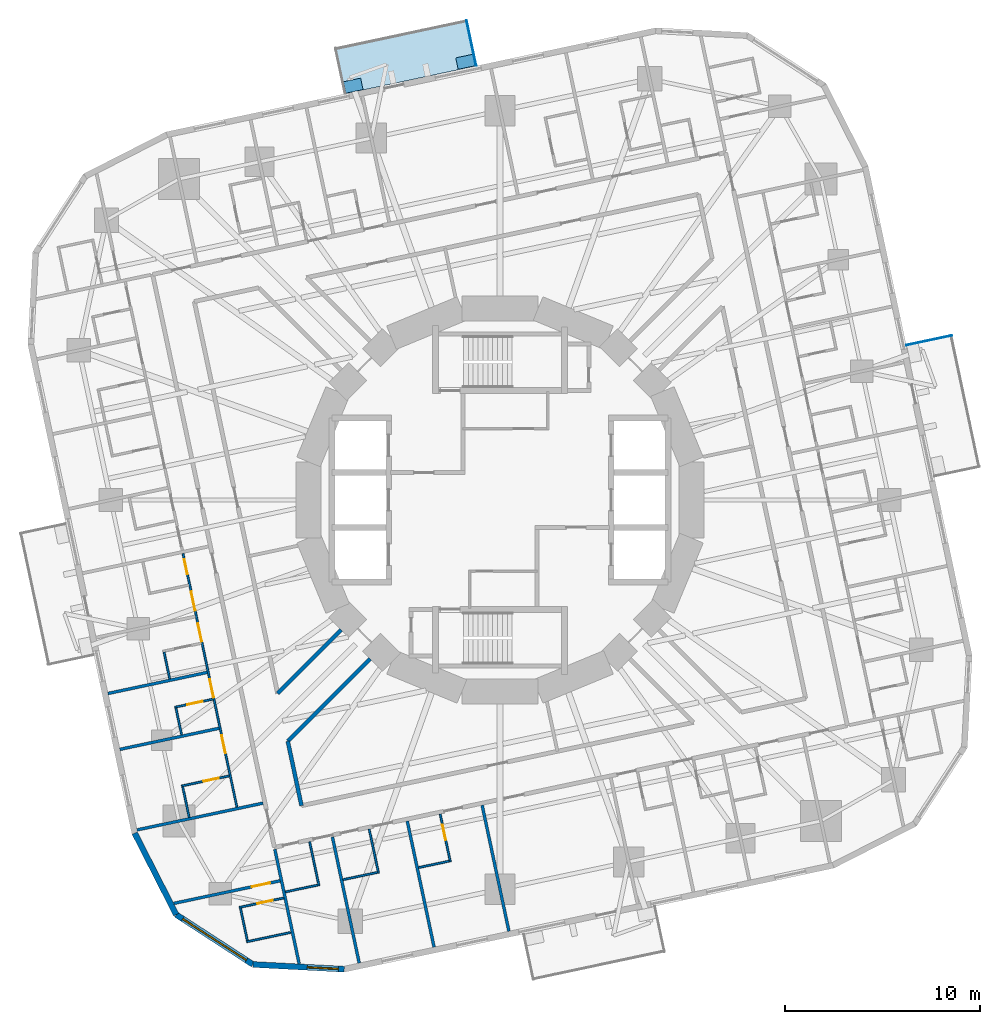
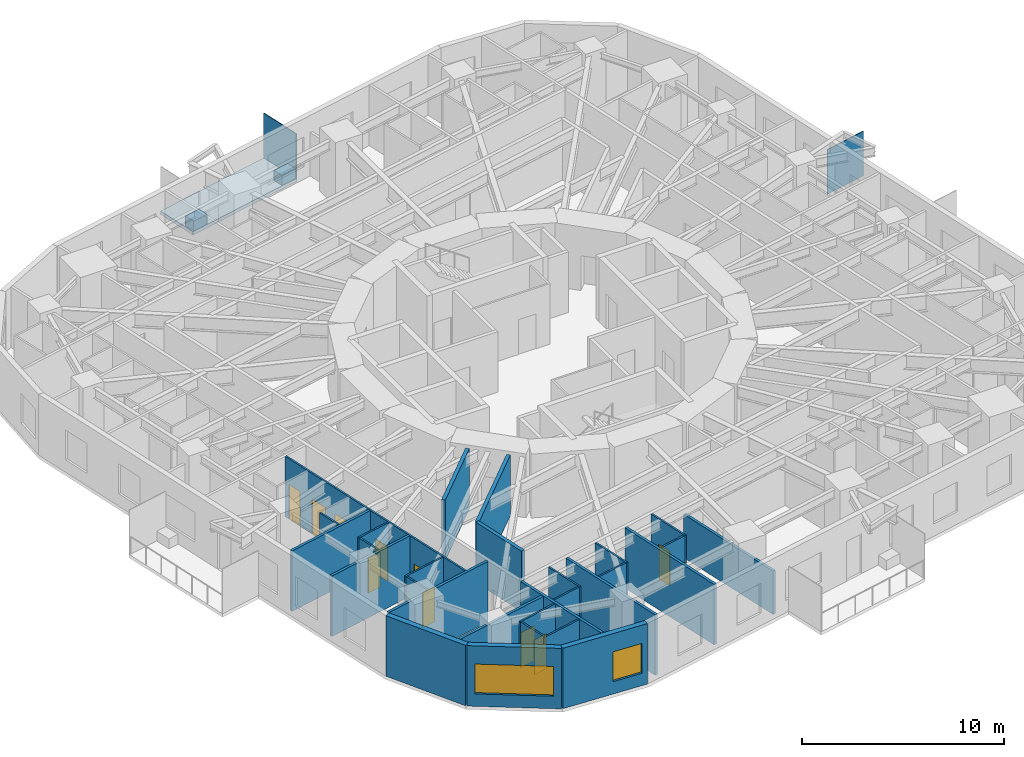
# One storey, part 4 of 14: 29 walls, 10 doors, 4 plates, 2 windows, 1 slab, 12 openings.
"""IFC4 building model written with IfcOpenShell, lengths in metres."""

from ifc_helpers import new_model, si_unit, direction, frame, frame_2d, origin, origin_2d, place, context, subcontext, project, spatial, polyline, rectangle, outline, extrude, material, layer, layer_set, type_object, element, fill, save


model = new_model("IFC4")

# Units and contexts
model_context = context("Model", 3, precision=1e-05, world=origin(), true_north=direction((0.0, 1.0)))
body_context = subcontext(model_context, "Body", "Model", "MODEL_VIEW")
ifc_project = project(units=[si_unit("LENGTHUNIT", "METRE"), si_unit("AREAUNIT", "SQUARE_METRE"), si_unit("VOLUMEUNIT", "CUBIC_METRE"), si_unit("PLANEANGLEUNIT", "RADIAN"), si_unit("MASSUNIT", "GRAM", prefix="KILO")], contexts=[model_context])

# Site, building, storey
site_placement = place(None, origin())
site = spatial("IfcSite", under=ifc_project, at=site_placement, CompositionType="ELEMENT")
building_placement = place(site_placement, origin())
building = spatial("IfcBuilding", under=site, at=building_placement, Name="Nakasero Lantern House", CompositionType="ELEMENT")
storey_placement = place(building_placement, frame((0.0, 0.0, 128.10009765625)))
storey = spatial("IfcBuildingStorey", under=building, at=storey_placement, Name="L31", CompositionType="ELEMENT", Elevation=128.10009765625)

# Plates
ifc_material_1 = material(Name="Aluminium 6063-T6", Category="aluminium")
ifc_layer_1 = layer(ifc_material_1, 0.60009765625)
ifc_layer_set_1 = layer_set([ifc_layer_1], Name="Balcony planter 600x900")
plate_type_1 = type_object("IfcPlateType", Name="Balcony planter 600x900", PredefinedType="USERDEFINED", material=ifc_layer_set_1)
for number, where, z_axis, x_axis, name in (
    (1, (-1.764892578125, 22.443603515625, -0.000244140625), (0.0, 0.0, 1.0), (-0.207911690818, 0.978147600734, 0.0), "Balcony PLANTER L31 BAL1A"),
    (2, (-7.516357421875, 21.220947265625, -0.000244140625), (0.0, 0.0, 1.0), (-0.207911690818, 0.978147600734, 0.0), "Balcony PLANTER L31 BAL1B"),
):
    element("IfcPlate", number, at=place(storey_placement, frame(where, z_axis=z_axis, x_axis=x_axis)), inside=storey, type_object=plate_type_1, Name=name, ObjectType="PLANTER", PredefinedType="USERDEFINED", context=body_context, shape_type="SweptSolid", body=[
        extrude(rectangle(XDim=0.60009765625, YDim=0.89990234375, at=origin_2d()), origin(), (0.0, 0.0, 1.0), 0.60009765625),
    ])
ifc_material_2 = material(Name="Aluminium 6063-T6", Category="aluminium")
ifc_layer_2 = layer(ifc_material_2, 0.0400390625)
ifc_layer_set_2 = layer_set([ifc_layer_2], Name="Balcony screen 2400x2700")
plate_type_2 = type_object("IfcPlateType", Name="Balcony screen 2400x2700", PredefinedType="SHEET", material=ifc_layer_set_2)
for number, where, z_axis, x_axis, name in (
    (3, (21.97998046875, 8.1787109375, 0.0), (0.0, 0.0, 1.0), (0.978147600734, 0.207911690818, 0.0), "Balcony SCREEN L31 BAL0B"),
    (4, (-1.468505859375, 23.40625, 0.0), (0.0, 0.0, 1.0), (-0.207911690818, 0.978147600734, 0.0), "Balcony SCREEN L31 BAL1A"),
):
    element("IfcPlate", number, at=place(storey_placement, frame(where, z_axis=z_axis, x_axis=x_axis)), inside=storey, type_object=plate_type_2, Name=name, PredefinedType="SHEET", context=body_context, shape_type="SweptSolid", body=[
        extrude(rectangle(XDim=2.39990234375, YDim=0.0400390625, at=origin_2d()), origin(), (0.0, 0.0, 1.0), 2.699951171875),
    ])

# Slab
ifc_material_3 = material(Name="Concrete C35/45", Category="concrete")
ifc_layer_3 = layer(ifc_material_3, 0.199951171875)
ifc_layer_set_3 = layer_set([ifc_layer_3], Name="Balcony slab 200")
slab_type = type_object("IfcSlabType", Name="Balcony slab 200", PredefinedType="USERDEFINED", material=ifc_layer_set_3)
slab_placement = place(storey_placement, frame((0.0, 0.0, -0.2001953125)))
element("IfcSlab", 5, at=slab_placement, inside=storey, type_object=slab_type, Name="Balcony L31 BAL1", ObjectType="BALCONY", PredefinedType="USERDEFINED", context=body_context, shape_type="SweptSolid", body=[
    extrude(outline(polyline([(-1.199462890625, 22.236572265625), (-1.698486328125, 24.583984375), (-8.44775390625, 23.1494140625), (-7.94873046875, 20.802001953125), (-1.199462890625, 22.236572265625)])), origin(), (0.0, 0.0, 1.0), 0.2001953125),
])

# Wall, openings, doors
ifc_material_4 = material(Name="Blockwork", Category="masonry")
ifc_layer_4 = layer(ifc_material_4, 0.10009765625)
ifc_layer_set_4 = layer_set([ifc_layer_4], Name="Cluster hall wall 100")
wall_type_1 = type_object("IfcWallType", Name="Cluster hall wall 100", PredefinedType="PARTITIONING", material=ifc_layer_set_4)
wall_1_placement = place(storey_placement, frame((-16.236328125, -2.734375, 0.0), z_axis=(0.0, 0.0, 1.0), x_axis=(0.207922912411, -0.978145215443, 0.0)))
wall_1 = element("IfcWall", 6, at=wall_1_placement, inside=storey, type_object=wall_type_1, Name="Cluster hall wall L31 HW2-1", PredefinedType="PARTITIONING", context=body_context, shape_type="SweptSolid", body=[
    extrude(rectangle(XDim=13.28955078125, YDim=0.10009765625, at=frame_2d((6.644775390625, 0.0))), origin(), (0.0, 0.0, 1.0), 3.64990234375),
])
opening_1_placement = place(wall_1_placement, frame((1.99365234375, 0.0, 0.0)))
opening_1 = element("IfcOpeningElement", 7, at=opening_1_placement, cuts=wall_1, Name="Opening D03", PredefinedType="OPENING", context=body_context, shape_type="SweptSolid", body=[
    extrude(rectangle(XDim=1.0, YDim=2.10009765625, at=frame_2d((0.5, 1.050048828125))), frame((0.0, 0.070068359375, 0.0), z_axis=(0.0, -1.0, 0.0), x_axis=(1.0, 0.0, 0.0)), (0.0, 0.0, 1.0), 0.14013671875),
])
opening_2_placement = place(wall_1_placement, frame((0.300048828125, 0.0, 0.0)))
opening_2 = element("IfcOpeningElement", 8, at=opening_2_placement, cuts=wall_1, Name="Opening D02", PredefinedType="OPENING", context=body_context, shape_type="SweptSolid", body=[
    extrude(rectangle(XDim=0.800048828125, YDim=2.10009765625, at=frame_2d((0.39990234375, 1.050048828125))), frame((0.0, 0.070068359375, 0.0), z_axis=(0.0, -1.0, 0.0), x_axis=(1.0, 0.0, 0.0)), (0.0, 0.0, 1.0), 0.14013671875),
])
opening_3_placement = place(wall_1_placement, frame((3.668701171875, 0.0, 0.0)))
opening_3 = element("IfcOpeningElement", 9, at=opening_3_placement, cuts=wall_1, Name="Opening D01", PredefinedType="OPENING", context=body_context, shape_type="SweptSolid", body=[
    extrude(rectangle(XDim=0.949951171875, YDim=2.10009765625, at=frame_2d((0.47509765625, 1.050048828125))), frame((0.0, 0.070068359375, 0.0), z_axis=(0.0, -1.0, 0.0), x_axis=(1.0, 0.0, 0.0)), (0.0, 0.0, 1.0), 0.14013671875),
])
opening_4_placement = place(wall_1_placement, frame((6.594970703125, 0.0, 0.0)))
opening_4 = element("IfcOpeningElement", 10, at=opening_4_placement, cuts=wall_1, Name="Opening D01", PredefinedType="OPENING", context=body_context, shape_type="SweptSolid", body=[
    extrude(rectangle(XDim=0.949951171875, YDim=2.10009765625, at=frame_2d((0.47509765625, 1.050048828125))), frame((0.0, 0.070068359375, 0.0), z_axis=(0.0, -1.0, 0.0), x_axis=(1.0, 0.0, 0.0)), (0.0, 0.0, 1.0), 0.14013671875),
])
opening_5_placement = place(wall_1_placement, frame((9.521484375, 0.0, 0.0)))
opening_5 = element("IfcOpeningElement", 11, at=opening_5_placement, cuts=wall_1, Name="Opening D01", PredefinedType="OPENING", context=body_context, shape_type="SweptSolid", body=[
    extrude(rectangle(XDim=0.949951171875, YDim=2.10009765625, at=frame_2d((0.47509765625, 1.050048828125))), frame((0.0, 0.070068359375, 0.0), z_axis=(0.0, -1.0, 0.0), x_axis=(1.0, 0.0, 0.0)), (0.0, 0.0, 1.0), 0.14013671875),
])
ifc_material_5 = material(Name="Timber C24", Category="wood")
door_type_1 = type_object("IfcDoorType", Name="Bedroom door FD30S 950", OperationType="SINGLE_SWING_LEFT", PredefinedType="DOOR", material=ifc_material_5)
door_1_placement = place(opening_3_placement, origin())
door_1 = element("IfcDoor", 12, at=door_1_placement, inside=storey, type_object=door_type_1, Name="Door L31 D2-05", OperationType="SINGLE_SWING_LEFT", OverallHeight=2.10009765625, OverallWidth=0.949951171875, PredefinedType="DOOR", context=body_context, shape_type="SweptSolid", body=[
    extrude(rectangle(XDim=0.949951171875, YDim=2.10009765625, at=frame_2d((0.47509765625, 1.050048828125))), frame((0.0, 0.02490234375, 0.0), z_axis=(0.0, -1.0, 0.0), x_axis=(1.0, 0.0, 0.0)), (0.0, 0.0, 1.0), 0.050048828125),
])
fill(opening_3, door_1)
door_2_placement = place(opening_4_placement, origin())
door_2 = element("IfcDoor", 13, at=door_2_placement, inside=storey, type_object=door_type_1, Name="Door L31 D2-06", OperationType="SINGLE_SWING_RIGHT", OverallHeight=2.10009765625, OverallWidth=0.949951171875, PredefinedType="DOOR", context=body_context, shape_type="SweptSolid", body=[
    extrude(rectangle(XDim=0.949951171875, YDim=2.10009765625, at=frame_2d((0.47509765625, 1.050048828125))), frame((0.0, 0.02490234375, 0.0), z_axis=(0.0, -1.0, 0.0), x_axis=(1.0, 0.0, 0.0)), (0.0, 0.0, 1.0), 0.050048828125),
])
fill(opening_4, door_2)
door_3_placement = place(opening_5_placement, origin())
door_3 = element("IfcDoor", 14, at=door_3_placement, inside=storey, type_object=door_type_1, Name="Door L31 D2-07", OperationType="SINGLE_SWING_RIGHT", OverallHeight=2.10009765625, OverallWidth=0.949951171875, PredefinedType="DOOR", context=body_context, shape_type="SweptSolid", body=[
    extrude(rectangle(XDim=0.949951171875, YDim=2.10009765625, at=frame_2d((0.47509765625, 1.050048828125))), frame((0.0, 0.02490234375, 0.0), z_axis=(0.0, -1.0, 0.0), x_axis=(1.0, 0.0, 0.0)), (0.0, 0.0, 1.0), 0.050048828125),
])
fill(opening_5, door_3)
ifc_material_6 = material(Name="Timber C24", Category="wood")
door_type_2 = type_object("IfcDoorType", Name="En-suite door 800", OperationType="SINGLE_SWING_RIGHT", PredefinedType="DOOR", material=ifc_material_6)
door_4_placement = place(opening_2_placement, origin())
door_4 = element("IfcDoor", 15, at=door_4_placement, inside=storey, type_object=door_type_2, Name="Door L31 DSH2-1", OperationType="SINGLE_SWING_LEFT", OverallHeight=2.10009765625, OverallWidth=0.800048828125, PredefinedType="DOOR", context=body_context, shape_type="SweptSolid", body=[
    extrude(rectangle(XDim=0.800048828125, YDim=2.10009765625, at=frame_2d((0.39990234375, 1.050048828125))), frame((0.0, 0.02490234375, 0.0), z_axis=(0.0, -1.0, 0.0), x_axis=(1.0, 0.0, 0.0)), (0.0, 0.0, 1.0), 0.050048828125),
])
fill(opening_2, door_4)
ifc_material_7 = material(Name="Timber C24", Category="wood")
door_type_3 = type_object("IfcDoorType", Name="Lounge door FD30S 1000", OperationType="SINGLE_SWING_LEFT", PredefinedType="DOOR", material=ifc_material_7)
door_5_placement = place(opening_1_placement, origin())
door_5 = element("IfcDoor", 16, at=door_5_placement, inside=storey, type_object=door_type_3, Name="Door L31 DH2-1", OperationType="SINGLE_SWING_LEFT", OverallHeight=2.10009765625, OverallWidth=1.0, PredefinedType="DOOR", context=body_context, shape_type="SweptSolid", body=[
    extrude(rectangle(XDim=1.0, YDim=2.10009765625, at=frame_2d((0.5, 1.050048828125))), frame((0.0, 0.02490234375, 0.0), z_axis=(0.0, -1.0, 0.0), x_axis=(1.0, 0.0, 0.0)), (0.0, 0.0, 1.0), 0.050048828125),
])
fill(opening_1, door_5)

# Walls
ifc_material_8 = material(Name="Blockwork", Category="masonry")
ifc_layer_5 = layer(ifc_material_8, 0.199951171875)
ifc_layer_set_5 = layer_set([ifc_layer_5], Name="Corridor wall 200")
wall_type_2 = type_object("IfcWallType", Name="Corridor wall 200", PredefinedType="PARTITIONING", material=ifc_layer_set_5)
wall_2_placement = place(storey_placement, frame((-10.868896484375, -12.35400390625, 0.0), z_axis=(0.0, 0.0, 1.0), x_axis=(0.207923627178, -0.978145063506, 0.0)))
element("IfcWall", 17, at=wall_2_placement, inside=storey, type_object=wall_type_2, Name="Corridor wall L31 IW2-1", PredefinedType="PARTITIONING", context=body_context, shape_type="SweptSolid", body=[
    extrude(rectangle(XDim=3.375732421875, YDim=0.199951171875, at=frame_2d((1.68798828125, 0.0))), origin(), (0.0, 0.0, 1.0), 3.64990234375),
])
wall_3_placement = place(storey_placement, frame((-6.65234375, -8.13720703125, 0.0), z_axis=(0.0, 0.0, 1.0), x_axis=(-0.707086310555, -0.707127251225, 0.0)))
element("IfcWall", 18, at=wall_3_placement, inside=storey, type_object=wall_type_2, Name="Corridor wall L31 PS10a", PredefinedType="PARTITIONING", context=body_context, shape_type="SweptSolid", body=[
    extrude(rectangle(XDim=5.96337890625, YDim=0.199951171875, at=frame_2d((2.981689453125, 0.0))), origin(), (0.0, 0.0, 1.0), 3.64990234375),
])
wall_4_placement = place(storey_placement, frame((-8.13720703125, -6.65234375, 0.0), z_axis=(0.0, 0.0, 1.0), x_axis=(-0.707106781187, -0.707106781187, 0.0)))
element("IfcWall", 19, at=wall_4_placement, inside=storey, type_object=wall_type_2, Name="Corridor wall L31 PS10b", PredefinedType="PARTITIONING", context=body_context, shape_type="SweptSolid", body=[
    extrude(rectangle(XDim=4.599609375, YDim=0.199951171875, at=frame_2d((2.2998046875, 0.0))), origin(), (0.0, 0.0, 1.0), 3.64990234375),
])
ifc_material_9 = material(Name="Blockwork", Category="masonry")
ifc_layer_6 = layer(ifc_material_9, 0.10009765625)
ifc_layer_set_6 = layer_set([ifc_layer_6], Name="En-suite wall 100")
wall_type_3 = type_object("IfcWallType", Name="En-suite wall 100", PredefinedType="PARTITIONING", material=ifc_layer_set_6)
wall_5_placement = place(storey_placement, frame((-17.2060546875, -7.79150390625, 0.0), z_axis=(0.0, 0.0, 1.0), x_axis=(0.207873355681, -0.978155748334, 0.0)))
element("IfcWall", 20, at=wall_5_placement, inside=storey, type_object=wall_type_3, Name="En-suite wall L31 EE2-05", PredefinedType="PARTITIONING", context=body_context, shape_type="SweptSolid", body=[
    extrude(rectangle(XDim=1.39990234375, YDim=0.10009765625, at=frame_2d((0.699951171875, 0.0))), origin(), (0.0, 0.0, 1.0), 3.64990234375),
])

# Wall, opening, door
wall_6_placement = place(storey_placement, frame((-14.70068359375, -10.19970703125, 0.0), z_axis=(0.0, 0.0, 1.0), x_axis=(-0.978152955943, -0.207886494942, 0.0)))
wall_6 = element("IfcWall", 21, at=wall_6_placement, inside=storey, type_object=wall_type_3, Name="En-suite wall L31 ES2-06", PredefinedType="PARTITIONING", context=body_context, shape_type="SweptSolid", body=[
    extrude(rectangle(XDim=2.0, YDim=0.10009765625, at=frame_2d((1.0, 0.0))), origin(), (0.0, 0.0, 1.0), 3.64990234375),
])
opening_6_placement = place(wall_6_placement, frame((0.550048828125, 0.0, 0.0)))
opening_6 = element("IfcOpeningElement", 22, at=opening_6_placement, cuts=wall_6, Name="Opening D02", PredefinedType="OPENING", context=body_context, shape_type="SweptSolid", body=[
    extrude(rectangle(XDim=0.800048828125, YDim=2.10009765625, at=frame_2d((0.39990234375, 1.050048828125))), frame((0.0, 0.070068359375, 0.0), z_axis=(0.0, -1.0, 0.0), x_axis=(1.0, 0.0, 0.0)), (0.0, 0.0, 1.0), 0.14013671875),
])
door_6_placement = place(opening_6_placement, origin())
door_6 = element("IfcDoor", 23, at=door_6_placement, inside=storey, type_object=door_type_2, Name="Door L31 DE2-06", OperationType="SINGLE_SWING_LEFT", OverallHeight=2.10009765625, OverallWidth=0.800048828125, PredefinedType="DOOR", context=body_context, shape_type="SweptSolid", body=[
    extrude(rectangle(XDim=0.800048828125, YDim=2.10009765625, at=frame_2d((0.39990234375, 1.050048828125))), frame((0.0, 0.02490234375, 0.0), z_axis=(0.0, -1.0, 0.0), x_axis=(1.0, 0.0, 0.0)), (0.0, 0.0, 1.0), 0.050048828125),
])
fill(opening_6, door_6)

# Wall
wall_7_placement = place(storey_placement, frame((-16.59765625, -10.654052734375, 0.0), z_axis=(0.0, 0.0, 1.0), x_axis=(0.207873355681, -0.978155748334, 0.0)))
element("IfcWall", 24, at=wall_7_placement, inside=storey, type_object=wall_type_3, Name="En-suite wall L31 EE2-06", PredefinedType="PARTITIONING", context=body_context, shape_type="SweptSolid", body=[
    extrude(rectangle(XDim=1.39990234375, YDim=0.10009765625, at=frame_2d((0.699951171875, 0.0))), origin(), (0.0, 0.0, 1.0), 3.64990234375),
])

# Wall, opening, door
wall_8_placement = place(storey_placement, frame((-13.865234375, -14.1298828125, 0.0), z_axis=(0.0, 0.0, 1.0), x_axis=(-0.978146935828, -0.207914818928, 0.0)))
wall_8 = element("IfcWall", 25, at=wall_8_placement, inside=storey, type_object=wall_type_3, Name="En-suite wall L31 ES2-07", PredefinedType="PARTITIONING", context=body_context, shape_type="SweptSolid", body=[
    extrude(rectangle(XDim=2.5, YDim=0.10009765625, at=frame_2d((1.25, 0.0))), origin(), (0.0, 0.0, 1.0), 3.64990234375),
])
opening_7_placement = place(wall_8_placement, frame((0.550048828125, 0.0, 0.0)))
opening_7 = element("IfcOpeningElement", 26, at=opening_7_placement, cuts=wall_8, Name="Opening D02", PredefinedType="OPENING", context=body_context, shape_type="SweptSolid", body=[
    extrude(rectangle(XDim=0.800048828125, YDim=2.10009765625, at=frame_2d((0.39990234375, 1.050048828125))), frame((0.0, 0.070068359375, 0.0), z_axis=(0.0, -1.0, 0.0), x_axis=(1.0, 0.0, 0.0)), (0.0, 0.0, 1.0), 0.14013671875),
])
door_7_placement = place(opening_7_placement, origin())
door_7 = element("IfcDoor", 27, at=door_7_placement, inside=storey, type_object=door_type_2, Name="Door L31 DE2-07", OperationType="SINGLE_SWING_LEFT", OverallHeight=2.10009765625, OverallWidth=0.800048828125, PredefinedType="DOOR", context=body_context, shape_type="SweptSolid", body=[
    extrude(rectangle(XDim=0.800048828125, YDim=2.10009765625, at=frame_2d((0.39990234375, 1.050048828125))), frame((0.0, 0.02490234375, 0.0), z_axis=(0.0, -1.0, 0.0), x_axis=(1.0, 0.0, 0.0)), (0.0, 0.0, 1.0), 0.050048828125),
])
fill(opening_7, door_7)

# Wall
wall_9_placement = place(storey_placement, frame((-16.251220703125, -14.688232421875, 0.0), z_axis=(0.0, 0.0, 1.0), x_axis=(0.207840504985, -0.978162729042, 0.0)))
element("IfcWall", 28, at=wall_9_placement, inside=storey, type_object=wall_type_3, Name="En-suite wall L31 EE2-07", PredefinedType="PARTITIONING", context=body_context, shape_type="SweptSolid", body=[
    extrude(rectangle(XDim=1.599853515625, YDim=0.10009765625, at=frame_2d((0.7998046875, 0.0))), origin(), (0.0, 0.0, 1.0), 3.64990234375),
])

# Wall, opening, door
wall_10_placement = place(storey_placement, frame((-11.069091796875, -20.382568359375, 0.0), z_axis=(0.0, 0.0, 1.0), x_axis=(-0.978136257952, -0.207965047255, 0.0)))
wall_10 = element("IfcWall", 29, at=wall_10_placement, inside=storey, type_object=wall_type_3, Name="En-suite wall L31 ES2-08", PredefinedType="PARTITIONING", context=body_context, shape_type="SweptSolid", body=[
    extrude(rectangle(XDim=2.3349609375, YDim=0.10009765625, at=frame_2d((1.16748046875, 0.0))), origin(), (0.0, 0.0, 1.0), 3.64990234375),
])
opening_8_placement = place(wall_10_placement, frame((0.5849609375, 0.0, 0.0)))
opening_8 = element("IfcOpeningElement", 30, at=opening_8_placement, cuts=wall_10, Name="Opening D02", PredefinedType="OPENING", context=body_context, shape_type="SweptSolid", body=[
    extrude(rectangle(XDim=0.800048828125, YDim=2.10009765625, at=frame_2d((0.39990234375, 1.050048828125))), frame((0.0, 0.070068359375, 0.0), z_axis=(0.0, -1.0, 0.0), x_axis=(1.0, 0.0, 0.0)), (0.0, 0.0, 1.0), 0.14013671875),
])
door_8_placement = place(opening_8_placement, origin())
door_8 = element("IfcDoor", 31, at=door_8_placement, inside=storey, type_object=door_type_2, Name="Door L31 DE2-08", OperationType="SINGLE_SWING_LEFT", OverallHeight=2.10009765625, OverallWidth=0.800048828125, PredefinedType="DOOR", context=body_context, shape_type="SweptSolid", body=[
    extrude(rectangle(XDim=0.800048828125, YDim=2.10009765625, at=frame_2d((0.39990234375, 1.050048828125))), frame((0.0, 0.02490234375, 0.0), z_axis=(0.0, -1.0, 0.0), x_axis=(1.0, 0.0, 0.0)), (0.0, 0.0, 1.0), 0.050048828125),
])
fill(opening_8, door_8)

# Walls
wall_11_placement = place(storey_placement, frame((-13.293701171875, -20.906494140625, 0.0), z_axis=(0.0, 0.0, 1.0), x_axis=(0.207812379357, -0.978168704767, 0.0)))
element("IfcWall", 32, at=wall_11_placement, inside=storey, type_object=wall_type_3, Name="En-suite wall L31 EE2-08", PredefinedType="PARTITIONING", context=body_context, shape_type="SweptSolid", body=[
    extrude(rectangle(XDim=1.699951171875, YDim=0.10009765625, at=frame_2d((0.85009765625, 0.0))), origin(), (0.0, 0.0, 1.0), 3.64990234375),
])
for number, where, z_axis, x_axis, name in (
    (33, (-10.72900390625, -22.150634765625, 0.0), (0.0, 0.0, 1.0), (-0.978162897375, -0.207839712757, 0.0), "En-suite wall L31 EV2-08"),
    (34, (-9.74755859375, -17.50927734375, 0.0), (0.0, 0.0, 1.0), (0.207839712757, -0.978162897375, 0.0), "En-suite wall L31 ES3-00"),
):
    element("IfcWall", number, at=place(storey_placement, frame(where, z_axis=z_axis, x_axis=x_axis)), inside=storey, type_object=wall_type_3, Name=name, PredefinedType="PARTITIONING", context=body_context, shape_type="SweptSolid", body=[
        extrude(rectangle(XDim=2.300048828125, YDim=0.10009765625, at=frame_2d((1.14990234375, 0.0))), origin(), (0.0, 0.0, 1.0), 3.64990234375),
    ])
wall_12_placement = place(storey_placement, frame((-10.99169921875, -20.073974609375, 0.0), z_axis=(0.0, 0.0, 1.0), x_axis=(0.97814571127, 0.207920579847, 0.0)))
element("IfcWall", 35, at=wall_12_placement, inside=storey, type_object=wall_type_3, Name="En-suite wall L31 EE3-00", PredefinedType="PARTITIONING", context=body_context, shape_type="SweptSolid", body=[
    extrude(rectangle(XDim=1.7001953125, YDim=0.10009765625, at=frame_2d((0.85009765625, 0.0))), origin(), (0.0, 0.0, 1.0), 3.64990234375),
])
wall_13_placement = place(storey_placement, frame((-6.69970703125, -16.861328125, 0.0), z_axis=(0.0, 0.0, 1.0), x_axis=(0.207941273027, -0.978141312374, 0.0)))
element("IfcWall", 36, at=wall_13_placement, inside=storey, type_object=wall_type_3, Name="En-suite wall L31 ES3-01", PredefinedType="PARTITIONING", context=body_context, shape_type="SweptSolid", body=[
    extrude(rectangle(XDim=2.300048828125, YDim=0.10009765625, at=frame_2d((1.14990234375, 0.0))), origin(), (0.0, 0.0, 1.0), 3.64990234375),
])
wall_14_placement = place(storey_placement, frame((-8.041259765625, -19.44677734375, 0.0), z_axis=(0.0, 0.0, 1.0), x_axis=(0.978140575842, 0.207944737591, 0.0)))
element("IfcWall", 37, at=wall_14_placement, inside=storey, type_object=wall_type_3, Name="En-suite wall L31 EE3-01", PredefinedType="PARTITIONING", context=body_context, shape_type="SweptSolid", body=[
    extrude(rectangle(XDim=1.7998046875, YDim=0.10009765625, at=frame_2d((0.89990234375, 0.0))), origin(), (0.0, 0.0, 1.0), 3.64990234375),
])

# Wall, opening, door
wall_15_placement = place(storey_placement, frame((-3.061279296875, -16.088134765625, 0.0), z_axis=(0.0, 0.0, 1.0), x_axis=(0.207914818928, -0.978146935828, 0.0)))
wall_15 = element("IfcWall", 38, at=wall_15_placement, inside=storey, type_object=wall_type_3, Name="En-suite wall L31 ES3-02", PredefinedType="PARTITIONING", context=body_context, shape_type="SweptSolid", body=[
    extrude(rectangle(XDim=2.5, YDim=0.10009765625, at=frame_2d((1.25, 0.0))), origin(), (0.0, 0.0, 1.0), 3.64990234375),
])
opening_9_placement = place(wall_15_placement, frame((0.550048828125, 0.0, 0.0)))
opening_9 = element("IfcOpeningElement", 39, at=opening_9_placement, cuts=wall_15, Name="Opening D02", PredefinedType="OPENING", context=body_context, shape_type="SweptSolid", body=[
    extrude(rectangle(XDim=0.800048828125, YDim=2.10009765625, at=frame_2d((0.39990234375, 1.050048828125))), frame((0.0, 0.070068359375, 0.0), z_axis=(0.0, -1.0, 0.0), x_axis=(1.0, 0.0, 0.0)), (0.0, 0.0, 1.0), 0.14013671875),
])
door_9_placement = place(opening_9_placement, origin())
door_9 = element("IfcDoor", 40, at=door_9_placement, inside=storey, type_object=door_type_2, Name="Door L31 DE3-02", OperationType="SINGLE_SWING_LEFT", OverallHeight=2.10009765625, OverallWidth=0.800048828125, PredefinedType="DOOR", context=body_context, shape_type="SweptSolid", body=[
    extrude(rectangle(XDim=0.800048828125, YDim=2.10009765625, at=frame_2d((0.39990234375, 1.050048828125))), frame((0.0, 0.02490234375, 0.0), z_axis=(0.0, -1.0, 0.0), x_axis=(1.0, 0.0, 0.0)), (0.0, 0.0, 1.0), 0.050048828125),
])
fill(opening_9, door_9)

# Walls
wall_16_placement = place(storey_placement, frame((-4.166015625, -18.82763671875, 0.0), z_axis=(0.0, 0.0, 1.0), x_axis=(0.978138294895, 0.207955466533, 0.0)))
element("IfcWall", 41, at=wall_16_placement, inside=storey, type_object=wall_type_3, Name="En-suite wall L31 EE3-02", PredefinedType="PARTITIONING", context=body_context, shape_type="SweptSolid", body=[
    extrude(rectangle(XDim=1.60009765625, YDim=0.10009765625, at=frame_2d((0.800048828125, 0.0))), origin(), (0.0, 0.0, 1.0), 3.64990234375),
])
ifc_material_10 = material(Name="Aluminium rainscreen on blockwork", Category="masonry")
ifc_layer_7 = layer(ifc_material_10, 0.300048828125)
ifc_layer_set_7 = layer_set([ifc_layer_7], Name="Facade wall 300")
wall_type_4 = type_object("IfcWallType", Name="Facade wall 300", PredefinedType="SOLIDWALL", material=ifc_layer_set_7)
wall_17_placement = place(storey_placement, frame((-18.711181640625, -17.063232421875, 0.0), z_axis=(0.0, 0.0, 1.0), x_axis=(0.453975745332, -0.89101404178, 0.0)))
element("IfcWall", 42, at=wall_17_placement, inside=storey, type_object=wall_type_4, Name="Facade wall L31 FW2C1", PredefinedType="SOLIDWALL", context=body_context, shape_type="SweptSolid", body=[
    extrude(rectangle(XDim=4.6845703125, YDim=0.300048828125, at=frame_2d((2.34228515625, 0.0))), origin(), (0.0, 0.0, 1.0), 3.64990234375),
])

# Wall, opening, window
wall_18_placement = place(storey_placement, frame((-16.58447265625, -21.2373046875, 0.0), z_axis=(0.0, 0.0, 1.0), x_axis=(0.838692381994, -0.544605442853, 0.0)))
wall_18 = element("IfcWall", 43, at=wall_18_placement, inside=storey, type_object=wall_type_4, Name="Facade wall L31 FW2C2", PredefinedType="SOLIDWALL", context=body_context, shape_type="SweptSolid", body=[
    extrude(rectangle(XDim=4.6845703125, YDim=0.300048828125, at=frame_2d((2.34228515625, 0.0))), origin(), (0.0, 0.0, 1.0), 3.64990234375),
])
opening_10_placement = place(wall_18_placement, frame((0.39990234375, 0.0, 0.75)))
opening_10 = element("IfcOpeningElement", 44, at=opening_10_placement, cuts=wall_18, Name="Opening W238", PredefinedType="OPENING", context=body_context, shape_type="SweptSolid", body=[
    extrude(rectangle(XDim=3.885009765625, YDim=1.800048828125, at=frame_2d((1.9423828125, 0.89990234375))), frame((0.0, 0.169921875, 0.0), z_axis=(0.0, -1.0, 0.0), x_axis=(1.0, 0.0, 0.0)), (0.0, 0.0, 1.0), 0.340087890625),
])
ifc_material_11 = material(Name="Aluminium 6063-T6 and glass", Category="aluminium")
window_type_1 = type_object("IfcWindowType", Name="Corner window 3885x1800", PartitioningType="SINGLE_PANEL", PredefinedType="WINDOW", material=ifc_material_11)
window_1_placement = place(opening_10_placement, origin())
window_1 = element("IfcWindow", 45, at=window_1_placement, inside=storey, type_object=window_type_1, Name="Window L31 WC2", OverallHeight=1.800048828125, OverallWidth=3.885009765625, PartitioningType="SINGLE_PANEL", PredefinedType="WINDOW", context=body_context, shape_type="SweptSolid", body=[
    extrude(rectangle(XDim=3.885009765625, YDim=1.800048828125, at=frame_2d((1.9423828125, 0.89990234375))), frame((0.0, 0.030029296875, 0.0), z_axis=(0.0, -1.0, 0.0), x_axis=(1.0, 0.0, 0.0)), (0.0, 0.0, 1.0), 0.06005859375),
])
fill(opening_10, window_1)

wall_19_placement = place(storey_placement, frame((-12.655517578125, -23.78857421875, 0.0), z_axis=(0.0, 0.0, 1.0), x_axis=(0.998630039879, -0.052326317, 0.0)))
wall_19 = element("IfcWall", 46, at=wall_19_placement, inside=storey, type_object=wall_type_4, Name="Facade wall L31 FW2C3", PredefinedType="SOLIDWALL", context=body_context, shape_type="SweptSolid", body=[
    extrude(rectangle(XDim=4.684326171875, YDim=0.300048828125, at=frame_2d((2.34228515625, 0.0))), origin(), (0.0, 0.0, 1.0), 3.64990234375),
])
opening_11_placement = place(wall_19_placement, frame((2.784912109375, 0.0, 0.75)))
opening_11 = element("IfcOpeningElement", 47, at=opening_11_placement, cuts=wall_19, Name="Opening W01", PredefinedType="OPENING", context=body_context, shape_type="SweptSolid", body=[
    extrude(rectangle(XDim=1.60009765625, YDim=1.800048828125, at=frame_2d((0.800048828125, 0.89990234375))), frame((0.0, 0.169921875, 0.0), z_axis=(0.0, -1.0, 0.0), x_axis=(1.0, 0.0, 0.0)), (0.0, 0.0, 1.0), 0.340087890625),
])
ifc_material_12 = material(Name="Aluminium 6063-T6 and glass", Category="aluminium")
window_type_2 = type_object("IfcWindowType", Name="Bedroom window 1600x1800", PartitioningType="SINGLE_PANEL", PredefinedType="WINDOW", material=ifc_material_12)
window_2_placement = place(opening_11_placement, origin())
window_2 = element("IfcWindow", 48, at=window_2_placement, inside=storey, type_object=window_type_2, Name="Window L31 WN3-00", OverallHeight=1.800048828125, OverallWidth=1.60009765625, PartitioningType="SINGLE_PANEL", PredefinedType="WINDOW", context=body_context, shape_type="SweptSolid", body=[
    extrude(rectangle(XDim=1.60009765625, YDim=1.800048828125, at=frame_2d((0.800048828125, 0.89990234375))), frame((0.0, 0.030029296875, 0.0), z_axis=(0.0, -1.0, 0.0), x_axis=(1.0, 0.0, 0.0)), (0.0, 0.0, 1.0), 0.06005859375),
])
fill(opening_11, window_2)

# Walls
ifc_material_13 = material(Name="Blockwork", Category="masonry")
ifc_layer_8 = layer(ifc_material_13, 0.14990234375)
ifc_layer_set_8 = layer_set([ifc_layer_8], Name="Party wall 150")
wall_type_5 = type_object("IfcWallType", Name="Party wall 150", PredefinedType="PARTITIONING", material=ifc_layer_set_8)
for number, where, z_axis, x_axis, name in (
    (49, (-14.991943359375, -8.828857421875, 0.0), (0.0, 0.0, 1.0), (-0.978151452323, -0.207893569688, 0.0), "Party wall L31 PW2-06"),
    (50, (-14.383544921875, -11.69140625, 0.0), (0.0, 0.0, 1.0), (-0.978151452323, -0.207893569688, 0.0), "Party wall L31 PW2-07"),
):
    element("IfcWall", number, at=place(storey_placement, frame(where, z_axis=z_axis, x_axis=x_axis)), inside=storey, type_object=wall_type_5, Name=name, PredefinedType="PARTITIONING", context=body_context, shape_type="SweptSolid", body=[
        extrude(rectangle(XDim=5.199951171875, YDim=0.14990234375, at=frame_2d((2.60009765625, 0.0))), origin(), (0.0, 0.0, 1.0), 3.64990234375),
    ])
wall_20_placement = place(storey_placement, frame((-12.13720703125, -15.526123046875, 0.0), z_axis=(0.0, 0.0, 1.0), x_axis=(-0.978144841009, -0.207924673876, 0.0)))
element("IfcWall", 51, at=wall_20_placement, inside=storey, type_object=wall_type_5, Name="Party wall L31 PW2-08", PredefinedType="PARTITIONING", context=body_context, shape_type="SweptSolid", body=[
    extrude(rectangle(XDim=6.60009765625, YDim=0.14990234375, at=frame_2d((3.300048828125, 0.0))), origin(), (0.0, 0.0, 1.0), 3.64990234375),
])

# Wall, opening, door
wall_21_placement = place(storey_placement, frame((-11.256103515625, -19.502197265625, 0.0), z_axis=(0.0, 0.0, 1.0), x_axis=(-0.978142361087, -0.207936339891, 0.0)))
wall_21 = element("IfcWall", 52, at=wall_21_placement, inside=storey, type_object=wall_type_5, Name="Party wall L31 PC2", PredefinedType="PARTITIONING", context=body_context, shape_type="SweptSolid", body=[
    extrude(rectangle(XDim=5.570068359375, YDim=0.14990234375, at=frame_2d((2.78515625, 0.0))), origin(), (0.0, 0.0, 1.0), 3.64990234375),
])
opening_12_placement = place(wall_21_placement, frame((0.534912109375, 0.0, 0.0)))
opening_12 = element("IfcOpeningElement", 53, at=opening_12_placement, cuts=wall_21, Name="Opening D01", PredefinedType="OPENING", context=body_context, shape_type="SweptSolid", body=[
    extrude(rectangle(XDim=0.949951171875, YDim=2.10009765625, at=frame_2d((0.47509765625, 1.050048828125))), frame((0.0, 0.094970703125, 0.0), z_axis=(0.0, -1.0, 0.0), x_axis=(1.0, 0.0, 0.0)), (0.0, 0.0, 1.0), 0.18994140625),
])
door_10_placement = place(opening_12_placement, origin())
door_10 = element("IfcDoor", 54, at=door_10_placement, inside=storey, type_object=door_type_1, Name="Door L31 DC2", OperationType="SINGLE_SWING_LEFT", OverallHeight=2.10009765625, OverallWidth=0.949951171875, PredefinedType="DOOR", context=body_context, shape_type="SweptSolid", body=[
    extrude(rectangle(XDim=0.949951171875, YDim=2.10009765625, at=frame_2d((0.47509765625, 1.050048828125))), frame((0.0, 0.02490234375, 0.0), z_axis=(0.0, -1.0, 0.0), x_axis=(1.0, 0.0, 0.0)), (0.0, 0.0, 1.0), 0.050048828125),
])
fill(opening_12, door_10)

# Walls
wall_22_placement = place(storey_placement, frame((-11.53271484375, -17.888671875, 0.0), z_axis=(0.0, 0.0, 1.0), x_axis=(0.207886494942, -0.978152955943, 0.0)))
element("IfcWall", 55, at=wall_22_placement, inside=storey, type_object=wall_type_5, Name="Party wall L31 PW3-00", PredefinedType="PARTITIONING", context=body_context, shape_type="SweptSolid", body=[
    extrude(rectangle(XDim=6.0, YDim=0.14990234375, at=frame_2d((3.0, 0.0))), origin(), (0.0, 0.0, 1.0), 3.64990234375),
])
wall_23_placement = place(storey_placement, frame((-8.58251953125, -17.26171875, 0.0), z_axis=(0.0, 0.0, 1.0), x_axis=(0.207932197326, -0.978143241716, 0.0)))
element("IfcWall", 56, at=wall_23_placement, inside=storey, type_object=wall_type_5, Name="Party wall L31 PW3-01", PredefinedType="PARTITIONING", context=body_context, shape_type="SweptSolid", body=[
    extrude(rectangle(XDim=6.599853515625, YDim=0.14990234375, at=frame_2d((3.2998046875, 0.0))), origin(), (0.0, 0.0, 1.0), 3.64990234375),
])
wall_24_placement = place(storey_placement, frame((-4.748779296875, -16.44677734375, 0.0), z_axis=(0.0, 0.0, 1.0), x_axis=(0.207924673876, -0.978144841009, 0.0)))
element("IfcWall", 57, at=wall_24_placement, inside=storey, type_object=wall_type_5, Name="Party wall L31 PW3-02", PredefinedType="PARTITIONING", context=body_context, shape_type="SweptSolid", body=[
    extrude(rectangle(XDim=6.60009765625, YDim=0.14990234375, at=frame_2d((3.300048828125, 0.0))), origin(), (0.0, 0.0, 1.0), 3.64990234375),
])
wall_25_placement = place(storey_placement, frame((-0.914794921875, -15.6318359375, 0.0), z_axis=(0.0, 0.0, 1.0), x_axis=(0.207924673876, -0.978144841009, 0.0)))
element("IfcWall", 58, at=wall_25_placement, inside=storey, type_object=wall_type_5, Name="Party wall L31 PW3-03", PredefinedType="PARTITIONING", context=body_context, shape_type="SweptSolid", body=[
    extrude(rectangle(XDim=6.60009765625, YDim=0.14990234375, at=frame_2d((3.300048828125, 0.0))), origin(), (0.0, 0.0, 1.0), 2.623779296875),
])

save(model, "model.ifc")
